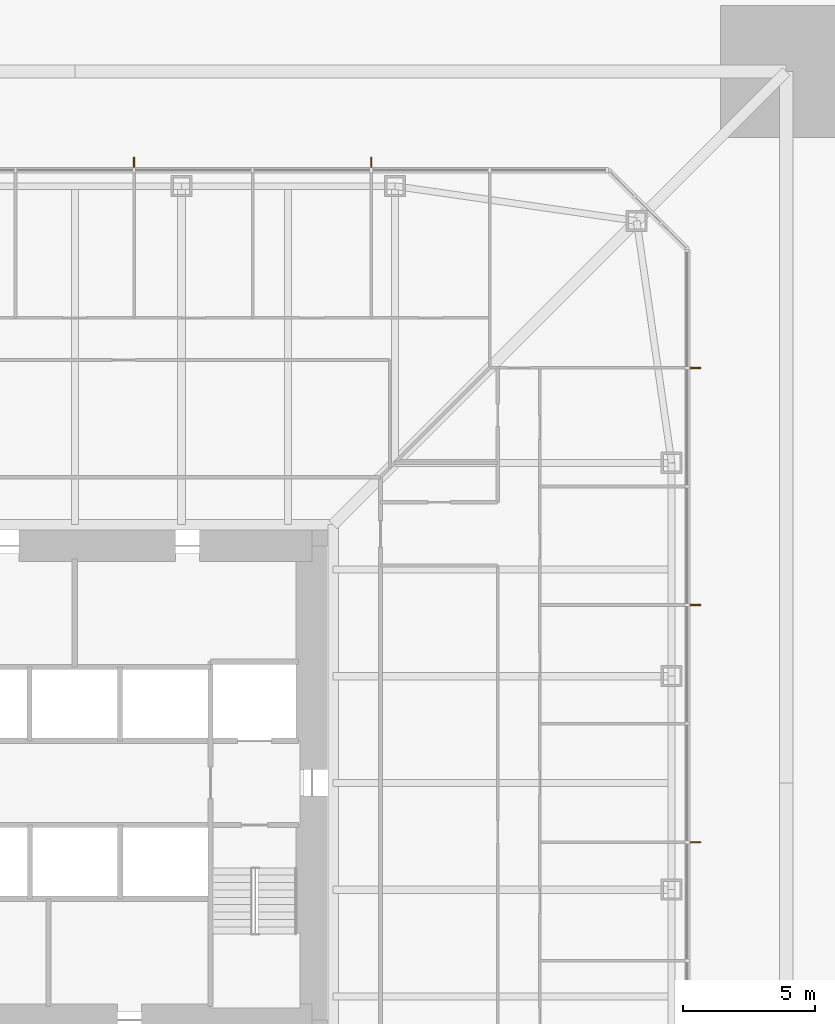
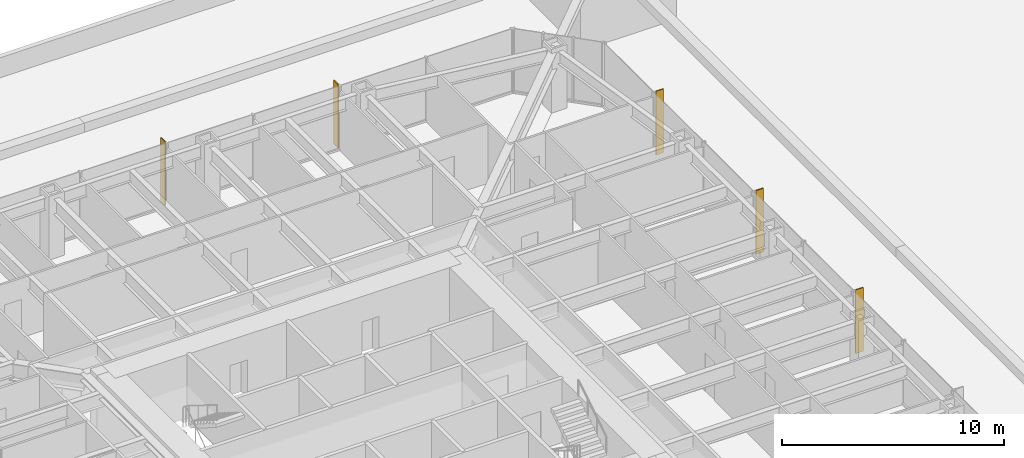
# One storey, part 30 of 31: 5 shading devices.
"""IFC4 building model written with IfcOpenShell, lengths in metres."""

from ifc_helpers import new_model, si_unit, direction, frame, origin, origin_2d, place, context, subcontext, project, spatial, rectangle, extrude, material, layer, layer_set, type_object, element, save


model = new_model("IFC4")

# Units and contexts
model_context = context("Model", 3, precision=1e-05, world=origin(), true_north=direction((0.0, 1.0)))
body_context = subcontext(model_context, "Body", "Model", "MODEL_VIEW")
ifc_project = project(units=[si_unit("LENGTHUNIT", "METRE"), si_unit("AREAUNIT", "SQUARE_METRE"), si_unit("VOLUMEUNIT", "CUBIC_METRE"), si_unit("PLANEANGLEUNIT", "RADIAN"), si_unit("MASSUNIT", "GRAM", prefix="KILO")], contexts=[model_context])

# Site, building, storey
site_placement = place(None, origin())
site = spatial("IfcSite", under=ifc_project, at=site_placement, CompositionType="ELEMENT")
building_placement = place(site_placement, origin())
building = spatial("IfcBuilding", under=site, at=building_placement, Name="Iwan Alto Co-Living Towers", CompositionType="ELEMENT")
storey_placement = place(building_placement, frame((0.0, 0.0, 15.0)))
storey = spatial("IfcBuildingStorey", under=building, at=storey_placement, Name="L03", CompositionType="ELEMENT", Elevation=15.0)

# Shading devices
ifc_material = material(Name="Aluminium 6063-T6 bronze anodised", Category="aluminium")
ifc_layer = layer(ifc_material, 0.050048828125)
ifc_layer_set = layer_set([ifc_layer], Name="BRONZE FIN 50X400")
shading_device_type = type_object("IfcShadingDeviceType", Name="BRONZE FIN 50X400", PredefinedType="USERDEFINED", material=ifc_layer_set)
for number, where, z_axis, x_axis, name in (
    (1, (23.550048828125, -2.25, 0.0), (0.0, 0.0, 1.0), (0.0, 1.0, 0.0), "Bronze fin L03"),
    (2, (23.550048828125, 6.75, 0.0), (0.0, 0.0, 1.0), (0.0, 1.0, 0.0), "Bronze fin L03"),
    (3, (23.550048828125, 15.75, 0.0), (0.0, 0.0, 1.0), (0.0, 1.0, 0.0), "Bronze fin L03"),
    (4, (11.25, 23.550048828125, 0.0), (0.0, 0.0, 1.0), (-1.0, 0.0, 0.0), "Bronze fin L03"),
    (5, (2.25, 23.550048828125, 0.0), (0.0, 0.0, 1.0), (-1.0, 0.0, 0.0), "Bronze fin L03"),
):
    element("IfcShadingDevice", number, at=place(storey_placement, frame(where, z_axis=z_axis, x_axis=x_axis)), inside=storey, type_object=shading_device_type, Name=name, ObjectType="LOUVER", PredefinedType="USERDEFINED", context=body_context, shape_type="SweptSolid", body=[
        extrude(rectangle(XDim=0.050048828125, YDim=0.39990234375, at=origin_2d()), origin(), (0.0, 0.0, 1.0), 3.5),
    ])

save(model, "model.ifc")
